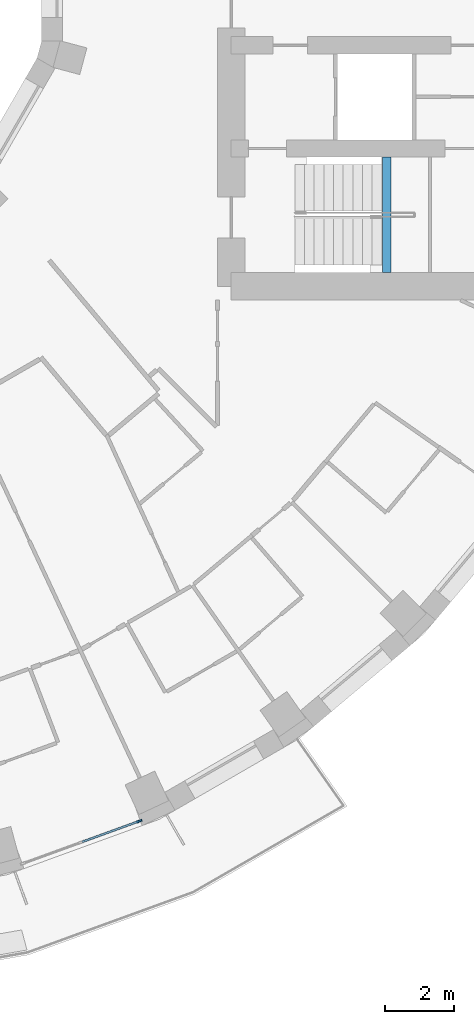
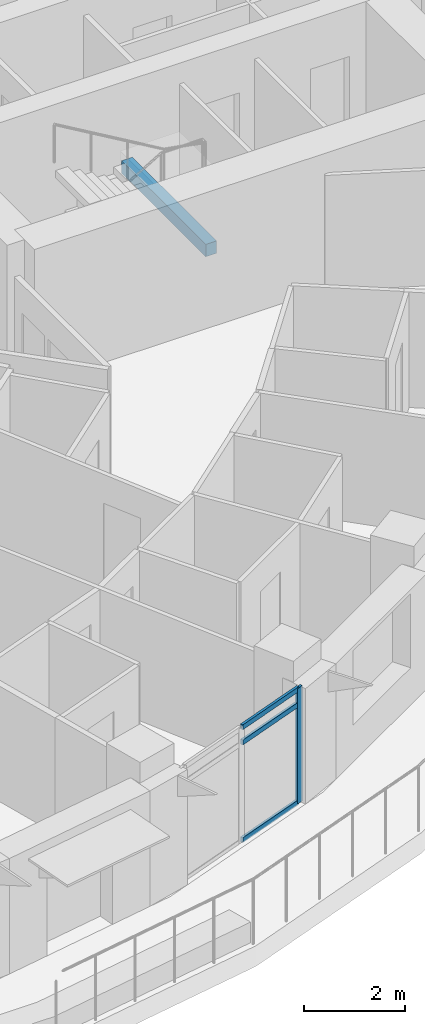
# One storey, part 3 of 16: 4 members, 1 beam, 1 element without a shape of its own.
"""IFC4 building model written with IfcOpenShell, lengths in metres."""

from ifc_helpers import new_model, si_unit, direction, frame, origin, origin_2d, place, context, subcontext, project, spatial, rectangle, extrude, material, layer, layer_set, material_profile, profile_set, type_object, element, aggregate, save


model = new_model("IFC4")

# Units and contexts
model_context = context("Model", 3, precision=1e-05, world=origin(), true_north=direction((0.0, 1.0)))
body_context = subcontext(model_context, "Body", "Model", "MODEL_VIEW")
ifc_project = project(units=[si_unit("LENGTHUNIT", "METRE"), si_unit("AREAUNIT", "SQUARE_METRE"), si_unit("VOLUMEUNIT", "CUBIC_METRE"), si_unit("PLANEANGLEUNIT", "RADIAN"), si_unit("MASSUNIT", "GRAM", prefix="KILO")], contexts=[model_context])

# Site, building, storey
site_placement = place(None, origin())
site = spatial("IfcSite", under=ifc_project, at=site_placement, CompositionType="ELEMENT")
building_placement = place(site_placement, origin())
building = spatial("IfcBuilding", under=site, at=building_placement, Name="Saqina Gate Tower", CompositionType="ELEMENT")
storey_placement = place(building_placement, frame((0.0, 0.0, 141.39990234375)))
storey = spatial("IfcBuildingStorey", under=building, at=storey_placement, Name="L40", CompositionType="ELEMENT", Elevation=141.39990234375)

# Curtain wall, members
ifc_material_1 = material(Name="Aluminium glazing", Category="aluminium")
ifc_layer = layer(ifc_material_1, 0.159912109375)
ifc_layer_set = layer_set([ifc_layer], Name="CWT-4")
curtain_wall_type = type_object("IfcCurtainWallType", Name="CWT-4", PredefinedType="NOTDEFINED", material=ifc_layer_set)
curtain_wall_placement = place(storey_placement, origin())
curtain_wall = element("IfcCurtainWall", 1, at=curtain_wall_placement, inside=storey, type_object=curtain_wall_type, Name="Terrace lounge glazing facet 29", PredefinedType="NOTDEFINED")
ifc_material_2 = material(Name="Aluminium", Category="aluminium")
ifc_material_profile_1 = material_profile(ifc_material_2, rectangle(XDim=0.06005859375, YDim=0.159912109375, at=origin_2d()), Name="Aluminium 60x160")
ifc_profile_set_1 = profile_set([ifc_material_profile_1], Name="Aluminium")
member_type_1 = type_object("IfcMemberType", Name="CWT-4M", PredefinedType="MULLION", material=ifc_profile_set_1)
member_1_placement = place(storey_placement, frame((10.833740234375, -24.520751953125, 0.0), z_axis=(0.0, 0.0, 1.0), x_axis=(-0.342015987197, 0.939694133483, 0.0)))
member_1 = element("IfcMember", 2, at=member_1_placement, type_object=member_type_1, Name="CW4-29 mullion 3", PredefinedType="MULLION", context=body_context, shape_type="SweptSolid", body=[
    extrude(rectangle(XDim=0.06005859375, YDim=0.159912109375, at=origin_2d()), origin(), (0.0, 0.0, 1.0), 2.800048828125),
])
ifc_material_3 = material(Name="Aluminium", Category="aluminium")
ifc_material_profile_2 = material_profile(ifc_material_3, rectangle(XDim=0.06005859375, YDim=0.1201171875, at=origin_2d()), Name="Aluminium 60x120")
ifc_profile_set_2 = profile_set([ifc_material_profile_2], Name="Aluminium")
member_type_2 = type_object("IfcMemberType", Name="CWT-4T", PredefinedType="USERDEFINED", material=ifc_profile_set_2)
member_2_placement = place(storey_placement, frame((9.17626953125, -25.1240234375, 0.030029296875), z_axis=(0.93969883573, 0.342003067424, 0.0), x_axis=(-0.342003067424, 0.93969883573, 0.0)))
member_2 = element("IfcMember", 3, at=member_2_placement, type_object=member_type_2, Name="CW4-29 transom 2.1", ObjectType="TRANSOM", PredefinedType="USERDEFINED", context=body_context, shape_type="SweptSolid", body=[
    extrude(rectangle(XDim=0.06005859375, YDim=0.1201171875, at=origin_2d()), origin(), (0.0, 0.0, 1.0), 1.73388671875),
])
member_3_placement = place(storey_placement, frame((9.17626953125, -25.1240234375, 2.400146484375), z_axis=(0.93969883573, 0.342003067424, 0.0), x_axis=(-0.342003067424, 0.93969883573, 0.0)))
member_3 = element("IfcMember", 4, at=member_3_placement, type_object=member_type_2, Name="CW4-29 transom 2.2", ObjectType="TRANSOM", PredefinedType="USERDEFINED", context=body_context, shape_type="SweptSolid", body=[
    extrude(rectangle(XDim=0.06005859375, YDim=0.1201171875, at=origin_2d()), origin(), (0.0, 0.0, 1.0), 1.73388671875),
])
member_4_placement = place(storey_placement, frame((9.17626953125, -25.1240234375, 2.77001953125), z_axis=(0.93969883573, 0.342003067424, 0.0), x_axis=(-0.342003067424, 0.93969883573, 0.0)))
member_4 = element("IfcMember", 5, at=member_4_placement, type_object=member_type_2, Name="CW4-29 transom 2.3", ObjectType="TRANSOM", PredefinedType="USERDEFINED", context=body_context, shape_type="SweptSolid", body=[
    extrude(rectangle(XDim=0.06005859375, YDim=0.1201171875, at=origin_2d()), origin(), (0.0, 0.0, 1.0), 1.73388671875),
])
aggregate(curtain_wall, [member_1, member_2, member_3, member_4])

# Beam
ifc_material_4 = material(Name="Concrete C40/50", Category="concrete")
ifc_material_profile_3 = material_profile(ifc_material_4, rectangle(XDim=0.25, YDim=0.300048828125, at=origin_2d()), Name="STAIR LANDING BEAM")
ifc_profile_set_3 = profile_set([ifc_material_profile_3], Name="Concrete C40/50")
beam_type = type_object("IfcBeamType", Name="STAIR LANDING BEAM", PredefinedType="BEAM", material=ifc_profile_set_3)
beam_placement = place(storey_placement, frame((18.02001953125, -8.60009765625, 1.25), z_axis=(0.0, 1.0, 0.0), x_axis=(-1.0, 0.0, 0.0)))
element("IfcBeam", 6, at=beam_placement, inside=storey, type_object=beam_type, Name="EXIT STAIR 2 LANDING BEAM", PredefinedType="BEAM", context=body_context, shape_type="SweptSolid", body=[
    extrude(rectangle(XDim=0.25, YDim=0.300048828125, at=origin_2d()), origin(), (0.0, 0.0, 1.0), 3.35009765625),
])

save(model, "model.ifc")
